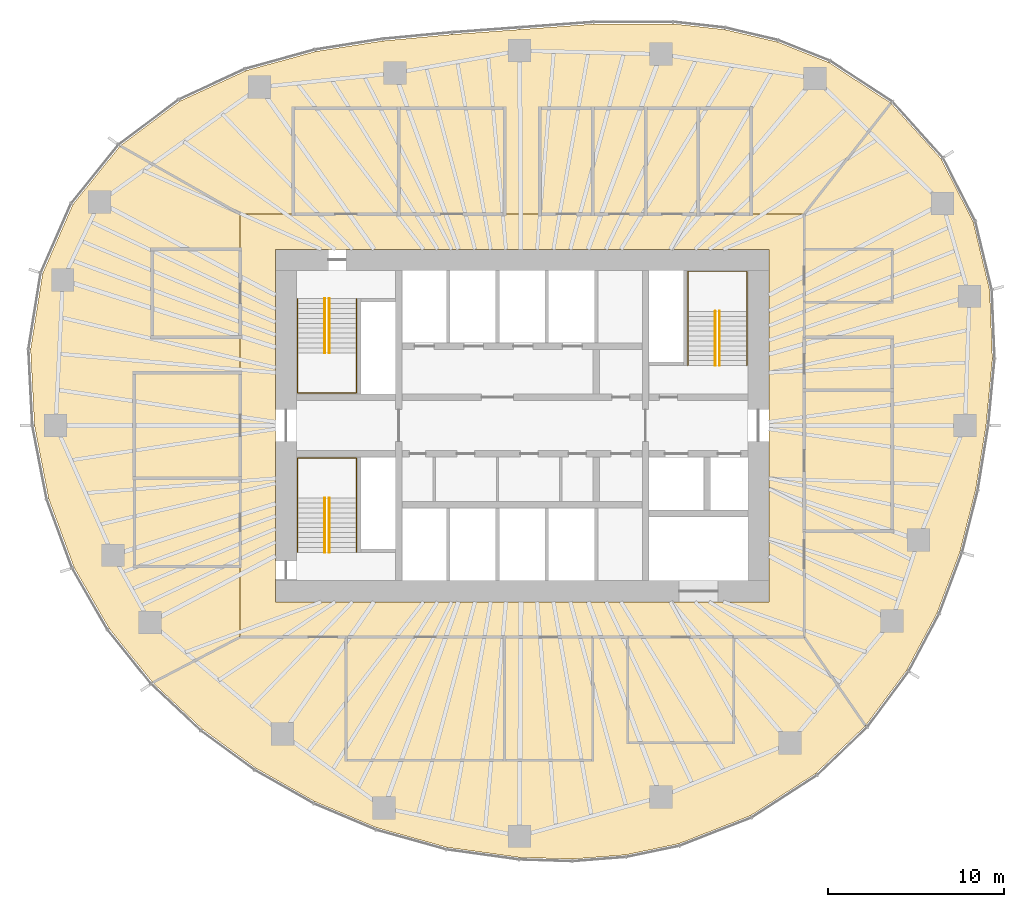
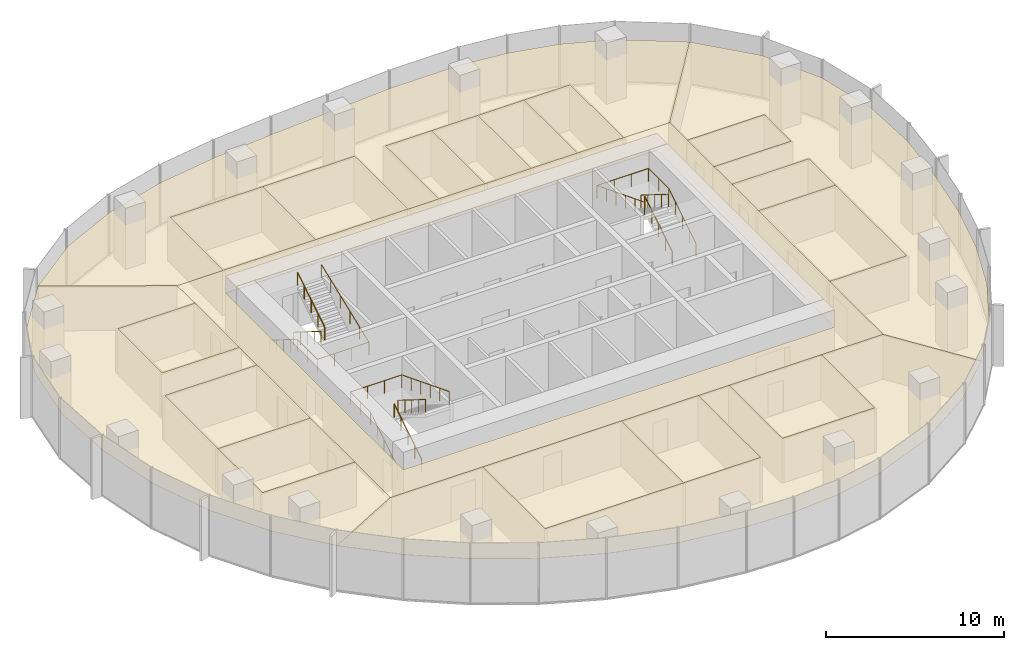
# One storey, part 11 of 11: 20 coverings, 9 railings.
"""IFC4 building model written with IfcOpenShell, lengths in metres."""

import ifcopenshell
import ifcopenshell.guid

model = None  # the IFC model being written
_history = None  # IfcOwnerHistory: only IFC2X3 demands one
_inside = {}  # id of a spatial element -> (the spatial element, [elements in it])
_under = {}  # id of a project, library or spatial element -> (it, [spatial elements below it])
_declared = {}  # id of a project -> (the project, [libraries it declares])
_typed = {}  # id of a type object -> (the type object, [elements of that type])
_made_of = {}  # id of a material, layer set ... -> (it, [elements and type objects made of it])


def new_model(schema):
    """Start an empty IFC model of exactly this schema.

    Asked for "IFC4X3", IfcOpenShell would pick the latest addendum, in which some entities
    have other attributes; the version numbers below select the first issue.
    IFC2X3 requires an IfcOwnerHistory on every rooted entity: one is made here for all.
    """
    global model, _history
    if schema == "IFC4X3":
        model = ifcopenshell.file(schema_version=(4, 3, 0, 0))
    else:
        model = ifcopenshell.file(schema=schema)
    _inside.clear()
    _under.clear()
    _declared.clear()
    _typed.clear()
    _made_of.clear()
    _history = None
    if model.schema == "IFC2X3":
        org = make("IfcOrganization", Name="unknown")
        user = make(
            "IfcPersonAndOrganization",
            ThePerson=make("IfcPerson", FamilyName="unknown"),
            TheOrganization=org,
        )
        app = make(
            "IfcApplication",
            ApplicationDeveloper=org,
            Version="unknown",
            ApplicationFullName="unknown",
            ApplicationIdentifier="unknown",
        )
        _history = make(
            "IfcOwnerHistory",
            OwningUser=user,
            OwningApplication=app,
            ChangeAction="ADDED",
            CreationDate=0,
        )
    return model


def make(cls, **values):
    """One entity of the class cls with the attributes given. An attribute that is None is left unset."""
    return model.create_entity(
        cls, **{name: value for name, value in values.items() if value is not None}
    )


def rooted(cls, **values):
    """An entity with a GlobalId (a new one), such as an element, a storey or a relation."""
    return make(cls, GlobalId=ifcopenshell.guid.new(), OwnerHistory=_history, **values)


def si_unit(unit_type, name, prefix=None):
    """IfcSIUnit, for example si_unit("LENGTHUNIT", "METRE", prefix="MILLI")."""
    return make("IfcSIUnit", UnitType=unit_type, Prefix=prefix, Name=name)


def assignment(units):
    """IfcUnitAssignment: the units of a project."""
    return None if units is None else make("IfcUnitAssignment", Units=units)


def point(xyz):
    """IfcCartesianPoint."""
    return None if xyz is None else make("IfcCartesianPoint", Coordinates=xyz)


def direction(xyz):
    """IfcDirection."""
    return None if xyz is None else make("IfcDirection", DirectionRatios=xyz)


def frame(location, z_axis=None, x_axis=None):
    """IfcAxis2Placement3D, a coordinate frame: its origin and axes. An axis left out is left unset."""
    return make(
        "IfcAxis2Placement3D",
        Location=point(location),
        Axis=direction(z_axis),
        RefDirection=direction(x_axis),
    )


def frame_2d(location, x_axis=None):
    """IfcAxis2Placement2D, a coordinate frame in the plane: its origin and x axis."""
    return make(
        "IfcAxis2Placement2D", Location=point(location), RefDirection=direction(x_axis)
    )


def origin():
    """The frame at (0, 0, 0) with its axes left unset."""
    return frame((0.0, 0.0, 0.0))


def origin_2d():
    """The frame at (0, 0) in the plane with its x axis left unset."""
    return frame_2d((0.0, 0.0))


def place(relative_to, where):
    """IfcLocalPlacement: puts the frame where relative to a parent placement (None: the world)."""
    return make(
        "IfcLocalPlacement", PlacementRelTo=relative_to, RelativePlacement=where
    )


def context(
    kind, dimensions, precision=None, world=None, true_north=None, identifier=None
):
    """IfcGeometricRepresentationContext, for example the 3D "Model" context."""
    return make(
        "IfcGeometricRepresentationContext",
        ContextIdentifier=identifier,
        ContextType=kind,
        CoordinateSpaceDimension=dimensions,
        Precision=precision,
        WorldCoordinateSystem=world,
        TrueNorth=true_north,
    )


def subcontext(parent, identifier, kind, view, scale=None):
    """IfcGeometricRepresentationSubContext, for example "Body" below "Model"."""
    return make(
        "IfcGeometricRepresentationSubContext",
        ContextIdentifier=identifier,
        ContextType=kind,
        ParentContext=parent,
        TargetScale=scale,
        TargetView=view,
    )


def project(units=None, contexts=None):
    """IfcProject with its units and contexts."""
    return rooted(
        "IfcProject",
        Name="project",
        RepresentationContexts=contexts,
        UnitsInContext=assignment(units),
    )


def spatial(cls, under=None, at=None, **own):
    """A site, building, storey or space (cls), placed at a placement, below another one or the project."""
    s = rooted(cls, ObjectPlacement=at, **own)
    if under is not None:
        _under.setdefault(under.id(), (under, []))[1].append(s)
    return s


def polyline(points):
    """IfcPolyline through the points."""
    return make("IfcPolyline", Points=[point(p) for p in points])


def profile(cls, at=None, kind="AREA", **sizes):
    """A parametric profile (cls). Its sizes go by their IFC names, for example OverallWidth=200.0."""
    return make(cls, ProfileType=kind, Position=at, **sizes)


def circle(**sizes):
    """IfcCircleProfileDef."""
    return profile("IfcCircleProfileDef", **sizes)


def outline(outer, holes=None, kind="AREA"):
    """IfcArbitraryClosedProfileDef: a profile drawn as a closed curve; with holes, ...WithVoids."""
    if holes is None:
        return make("IfcArbitraryClosedProfileDef", ProfileType=kind, OuterCurve=outer)
    return make(
        "IfcArbitraryProfileDefWithVoids",
        ProfileType=kind,
        OuterCurve=outer,
        InnerCurves=holes,
    )


def extrude(swept, where, along, depth):
    """IfcExtrudedAreaSolid: the profile swept, set in the frame where, extruded along a direction by depth."""
    return make(
        "IfcExtrudedAreaSolid",
        SweptArea=swept,
        Position=where,
        ExtrudedDirection=direction(along),
        Depth=depth,
    )


def shape(context_of_items, identifier, shape_type, items):
    """IfcShapeRepresentation: the items that make up one representation, for example the "Body"."""
    return make(
        "IfcShapeRepresentation",
        ContextOfItems=context_of_items,
        RepresentationIdentifier=identifier,
        RepresentationType=shape_type,
        Items=items,
    )


def material(Name=None, Category=None):
    """IfcMaterial."""
    return make("IfcMaterial", Name=Name, Category=Category)


def layer(
    of_material, thickness, ventilated=None, Name=None, Category=None, Priority=None
):
    """IfcMaterialLayer: one layer of a wall or slab, of a material (None: an air gap)."""
    return make(
        "IfcMaterialLayer",
        Material=of_material,
        LayerThickness=thickness,
        IsVentilated=ventilated,
        Name=Name,
        Category=Category,
        Priority=Priority,
    )


def layer_set(layers, Name=None):
    """IfcMaterialLayerSet."""
    return make("IfcMaterialLayerSet", MaterialLayers=layers, LayerSetName=Name)


def made_of(thing, what):
    """Note that an element or type object is made of a material, layer set ...; save() writes the relation."""
    if what is not None:
        _made_of.setdefault(what.id(), (what, []))[1].append(thing)
    return thing


def type_object(cls, material=None, **own):
    """A type object (cls), such as IfcWallType, which elements share."""
    return made_of(rooted(cls, **own), material)


def element(
    cls,
    number,
    at=None,
    inside=None,
    cuts=None,
    type_object=None,
    material=None,
    context=None,
    identifier="Body",
    shape_type=None,
    held_by="IfcProductDefinitionShape",
    body=None,
    shapes=None,
    **own,
):
    """One element of the class cls, such as IfcWall. Its Tag is "e" and its number.

    at: its placement. inside: the storey or other place that contains it. cuts: it is an
    opening in that element (IfcRelVoidsElement). A single representation is given by context,
    identifier, shape_type and body (its items); several are given by shapes. held_by: the class
    of the entity that holds the representations. save() writes the other relations.
    """
    e = rooted(cls, Tag="e%d" % number, ObjectPlacement=at, **own)
    if body is not None:
        shapes = [shape(context, identifier, shape_type, body)]
    if shapes is not None:
        e.Representation = make(held_by, Representations=shapes)
    if inside is not None:
        _inside.setdefault(inside.id(), (inside, []))[1].append(e)
    if cuts is not None:
        rooted(
            "IfcRelVoidsElement", RelatingBuildingElement=cuts, RelatedOpeningElement=e
        )
    if type_object is not None:
        _typed.setdefault(type_object.id(), (type_object, []))[1].append(e)
    return made_of(e, material)


def aggregate(whole, parts):
    """IfcRelAggregates: a whole, such as a stair, and the parts it consists of."""
    return rooted("IfcRelAggregates", RelatingObject=whole, RelatedObjects=parts)


def save(model, path):
    """Write the relations noted so far, then the file.

    IfcRelAggregates (storeys below a building ...), IfcRelContainedInSpatialStructure (elements
    in a storey), IfcRelDefinesByType, IfcRelAssociatesMaterial and IfcRelDeclares: one each for
    every whole, place, type object, material and project.
    """
    for whole, parts in _under.values():
        aggregate(whole, parts)
    for where, things in _inside.values():
        rooted(
            "IfcRelContainedInSpatialStructure",
            RelatedElements=things,
            RelatingStructure=where,
        )
    for kind, things in _typed.values():
        rooted("IfcRelDefinesByType", RelatedObjects=things, RelatingType=kind)
    for what, things in _made_of.values():
        rooted("IfcRelAssociatesMaterial", RelatedObjects=things, RelatingMaterial=what)
    for by, libraries in _declared.values():
        rooted("IfcRelDeclares", RelatingContext=by, RelatedDefinitions=libraries)
    model.write(path)


model = new_model("IFC4")

# Units and contexts
model_context = context("Model", 3, precision=1e-05, world=origin(), true_north=direction((0.0, 1.0)))
body_context = subcontext(model_context, "Body", "Model", "MODEL_VIEW")
ifc_project = project(units=[si_unit("LENGTHUNIT", "METRE"), si_unit("AREAUNIT", "SQUARE_METRE"), si_unit("VOLUMEUNIT", "CUBIC_METRE"), si_unit("PLANEANGLEUNIT", "RADIAN"), si_unit("MASSUNIT", "GRAM", prefix="KILO")], contexts=[model_context])

# Site, building, storey
site_placement = place(None, origin())
site = spatial("IfcSite", under=ifc_project, at=site_placement, CompositionType="ELEMENT")
building_placement = place(site_placement, origin())
building = spatial("IfcBuilding", under=site, at=building_placement, Name="Ghaith Harvest Tower", CompositionType="ELEMENT")
storey_placement = place(building_placement, frame((0.0, 0.0, 211.60009765625)))
storey = spatial("IfcBuildingStorey", under=building, at=storey_placement, Name="L46", CompositionType="ELEMENT", Elevation=211.60009765625)

# Coverings
ifc_material_1 = material(Name="Mineral fibre ceiling tile", Category="gypsum")
ifc_layer = layer(ifc_material_1, 0.02001953125)
ifc_layer_set = layer_set([ifc_layer], Name="CEILING C1")
covering_type = type_object("IfcCoveringType", Name="CEILING C1", PredefinedType="CEILING", material=ifc_layer_set)
covering_1_placement = place(storey_placement, frame((0.0, 0.0, 3.0)))
element("IfcCovering", 1, at=covering_1_placement, inside=storey, type_object=covering_type, Name="Ceiling L46-01", PredefinedType="CEILING", context=body_context, shape_type="SweptSolid", body=[
    extrude(outline(polyline([(-13.0, 12.0), (-7.0, 12.0), (-7.0, 18.0), (-13.0, 18.0), (-13.0, 12.0)])), origin(), (0.0, 0.0, 1.0), 0.02001953125),
])
covering_2_placement = place(storey_placement, frame((0.0, 0.0, 3.0)))
element("IfcCovering", 2, at=covering_2_placement, inside=storey, type_object=covering_type, Name="Ceiling L46-02", PredefinedType="CEILING", context=body_context, shape_type="SweptSolid", body=[
    extrude(outline(polyline([(-7.0, 12.0), (-1.0, 12.0), (-1.0, 18.0), (-7.0, 18.0), (-7.0, 12.0)])), origin(), (0.0, 0.0, 1.0), 0.02001953125),
])
covering_3_placement = place(storey_placement, frame((0.0, 0.0, 3.0)))
element("IfcCovering", 3, at=covering_3_placement, inside=storey, type_object=covering_type, Name="Ceiling L46-03", PredefinedType="CEILING", context=body_context, shape_type="SweptSolid", body=[
    extrude(outline(polyline([(1.0, 12.0), (4.0, 12.0), (4.0, 18.0), (1.0, 18.0), (1.0, 12.0)])), origin(), (0.0, 0.0, 1.0), 0.02001953125),
])
covering_4_placement = place(storey_placement, frame((0.0, 0.0, 3.0)))
element("IfcCovering", 4, at=covering_4_placement, inside=storey, type_object=covering_type, Name="Ceiling L46-04", PredefinedType="CEILING", context=body_context, shape_type="SweptSolid", body=[
    extrude(outline(polyline([(4.0, 12.0), (7.0, 12.0), (7.0, 18.0), (4.0, 18.0), (4.0, 12.0)])), origin(), (0.0, 0.0, 1.0), 0.02001953125),
])
covering_5_placement = place(storey_placement, frame((0.0, 0.0, 3.0)))
element("IfcCovering", 5, at=covering_5_placement, inside=storey, type_object=covering_type, Name="Ceiling L46-05", PredefinedType="CEILING", context=body_context, shape_type="SweptSolid", body=[
    extrude(outline(polyline([(7.0, 12.0), (10.0, 12.0), (10.0, 18.0), (7.0, 18.0), (7.0, 12.0)])), origin(), (0.0, 0.0, 1.0), 0.02001953125),
])
covering_6_placement = place(storey_placement, frame((0.0, 0.0, 3.0)))
element("IfcCovering", 6, at=covering_6_placement, inside=storey, type_object=covering_type, Name="Ceiling L46-06", PredefinedType="CEILING", context=body_context, shape_type="SweptSolid", body=[
    extrude(outline(polyline([(10.0, 12.0), (13.0, 12.0), (13.0, 18.0), (10.0, 18.0), (10.0, 12.0)])), origin(), (0.0, 0.0, 1.0), 0.02001953125),
])
covering_7_placement = place(storey_placement, frame((0.0, 0.0, 3.0)))
element("IfcCovering", 7, at=covering_7_placement, inside=storey, type_object=covering_type, Name="Ceiling L46-07", PredefinedType="CEILING", context=body_context, shape_type="SweptSolid", body=[
    extrude(outline(polyline([(-10.0, -19.0), (-1.0, -19.0), (-1.0, -12.0), (-10.0, -12.0), (-10.0, -19.0)])), origin(), (0.0, 0.0, 1.0), 0.02001953125),
])
covering_8_placement = place(storey_placement, frame((0.0, 0.0, 3.0)))
element("IfcCovering", 8, at=covering_8_placement, inside=storey, type_object=covering_type, Name="Ceiling L46-08", PredefinedType="CEILING", context=body_context, shape_type="SweptSolid", body=[
    extrude(outline(polyline([(-1.0, -19.0), (4.0, -19.0), (4.0, -12.0), (-1.0, -12.0), (-1.0, -19.0)])), origin(), (0.0, 0.0, 1.0), 0.02001953125),
])
covering_9_placement = place(storey_placement, frame((0.0, 0.0, 3.0)))
element("IfcCovering", 9, at=covering_9_placement, inside=storey, type_object=covering_type, Name="Ceiling L46-09", PredefinedType="CEILING", context=body_context, shape_type="SweptSolid", body=[
    extrude(outline(polyline([(6.0, -18.0), (12.0, -18.0), (12.0, -12.0), (6.0, -12.0), (6.0, -18.0)])), origin(), (0.0, 0.0, 1.0), 0.02001953125),
])
covering_10_placement = place(storey_placement, frame((0.0, 0.0, 3.0)))
element("IfcCovering", 10, at=covering_10_placement, inside=storey, type_object=covering_type, Name="Ceiling L46-10", PredefinedType="CEILING", context=body_context, shape_type="SweptSolid", body=[
    extrude(outline(polyline([(16.0, -6.0), (21.0, -6.0), (21.0, 2.0), (16.0, 2.0), (16.0, -6.0)])), origin(), (0.0, 0.0, 1.0), 0.02001953125),
])
covering_11_placement = place(storey_placement, frame((0.0, 0.0, 3.0)))
element("IfcCovering", 11, at=covering_11_placement, inside=storey, type_object=covering_type, Name="Ceiling L46-11", PredefinedType="CEILING", context=body_context, shape_type="SweptSolid", body=[
    extrude(outline(polyline([(16.0, 2.0), (21.0, 2.0), (21.0, 5.0), (16.0, 5.0), (16.0, 2.0)])), origin(), (0.0, 0.0, 1.0), 0.02001953125),
])
covering_12_placement = place(storey_placement, frame((0.0, 0.0, 3.0)))
element("IfcCovering", 12, at=covering_12_placement, inside=storey, type_object=covering_type, Name="Ceiling L46-12", PredefinedType="CEILING", context=body_context, shape_type="SweptSolid", body=[
    extrude(outline(polyline([(-22.0, -8.0), (-16.0, -8.0), (-16.0, -3.0), (-22.0, -3.0), (-22.0, -8.0)])), origin(), (0.0, 0.0, 1.0), 0.02001953125),
])
covering_13_placement = place(storey_placement, frame((0.0, 0.0, 3.0)))
element("IfcCovering", 13, at=covering_13_placement, inside=storey, type_object=covering_type, Name="Ceiling L46-13", PredefinedType="CEILING", context=body_context, shape_type="SweptSolid", body=[
    extrude(outline(polyline([(-22.0, -3.0), (-16.0, -3.0), (-16.0, 3.0), (-22.0, 3.0), (-22.0, -3.0)])), origin(), (0.0, 0.0, 1.0), 0.02001953125),
])
covering_14_placement = place(storey_placement, frame((0.0, 0.0, 3.0)))
element("IfcCovering", 14, at=covering_14_placement, inside=storey, type_object=covering_type, Name="Ceiling L46-14", PredefinedType="CEILING", context=body_context, shape_type="SweptSolid", body=[
    extrude(outline(polyline([(16.0, 7.0), (21.0, 7.0), (21.0, 10.0), (16.0, 10.0), (16.0, 7.0)])), origin(), (0.0, 0.0, 1.0), 0.02001953125),
])
covering_15_placement = place(storey_placement, frame((0.0, 0.0, 3.0)))
element("IfcCovering", 15, at=covering_15_placement, inside=storey, type_object=covering_type, Name="Ceiling L46-15", PredefinedType="CEILING", context=body_context, shape_type="SweptSolid", body=[
    extrude(outline(polyline([(-21.0, 5.0), (-16.0, 5.0), (-16.0, 10.0), (-21.0, 10.0), (-21.0, 5.0)])), origin(), (0.0, 0.0, 1.0), 0.02001953125),
])
covering_16_placement = place(storey_placement, frame((0.0, 0.0, 3.0)))
element("IfcCovering", 16, at=covering_16_placement, inside=storey, type_object=covering_type, Name="Ceiling L46-C1", PredefinedType="CEILING", context=body_context, shape_type="SweptSolid", body=[
    extrude(outline(polyline([(-16.0, 12.0), (16.0, 12.0), (16.0, -12.0), (-16.0, -12.0), (-16.0, 12.0)]), holes=[polyline([(14.0, -10.0), (14.0, 10.0), (-14.0, 10.0), (-14.0, -10.0), (14.0, -10.0)])]), origin(), (0.0, 0.0, 1.0), 0.02001953125),
])
covering_17_placement = place(storey_placement, frame((0.0, 0.0, 3.0)))
element("IfcCovering", 17, at=covering_17_placement, inside=storey, type_object=covering_type, Name="Ceiling L46-N1", PredefinedType="CEILING", context=body_context, shape_type="SweptSolid", body=[
    extrude(outline(polyline([(-19.408203125, 18.41650390625), (-15.6474609375, 20.147705078125), (-11.694580078125, 21.2314453125), (-7.8837890625, 21.827880859375), (-3.963134765625, 22.192138671875), (-0.15380859375, 22.470458984375), (4.03857421875, 22.78125), (8.522216796875, 22.796875), (11.47265625, 22.47265625), (14.460693359375, 21.771484375), (17.382080078125, 20.612548828125), (20.923095703125, 18.295166015625), (16.0, 12.0), (13.0, 12.0), (13.0, 18.0), (1.0, 18.0), (1.0, 12.0), (-1.0, 12.0), (-1.0, 18.0), (-13.0, 18.0), (-13.0, 12.0), (-16.0, 12.0), (-22.809814453125, 15.87109375), (-19.408203125, 18.41650390625)])), origin(), (0.0, 0.0, 1.0), 0.02001953125),
])
covering_18_placement = place(storey_placement, frame((0.0, 0.0, 3.0)))
element("IfcCovering", 18, at=covering_18_placement, inside=storey, type_object=covering_type, Name="Ceiling L46-E1", PredefinedType="CEILING", context=body_context, shape_type="SweptSolid", body=[
    extrude(outline(polyline([(23.77294921875, 15.12939453125), (25.597900390625, 11.55615234375), (26.531005859375, 7.668212890625), (26.685791015625, 3.779052734375), (26.324951171875, 0.0), (25.734375, -3.644287109375), (24.840576171875, -7.179443359375), (23.548828125, -10.631103515625), (21.821533203125, -13.887451171875), (19.48388671875, -17.036865234375), (16.0, -12.0), (16.0, -6.0), (21.0, -6.0), (21.0, 5.0), (16.0, 5.0), (16.0, 7.0), (21.0, 7.0), (21.0, 10.0), (16.0, 10.0), (16.0, 12.0), (20.923095703125, 18.295166015625), (23.77294921875, 15.12939453125)])), origin(), (0.0, 0.0, 1.0), 0.02001953125),
])
covering_19_placement = place(storey_placement, frame((0.0, 0.0, 3.0)))
element("IfcCovering", 19, at=covering_19_placement, inside=storey, type_object=covering_type, Name="Ceiling L46-S1", PredefinedType="CEILING", context=body_context, shape_type="SweptSolid", body=[
    extrude(outline(polyline([(16.651611328125, -19.746337890625), (12.949462890625, -22.1435546875), (8.8740234375, -23.73779296875), (5.865234375, -24.3662109375), (2.833984375, -24.602294921875), (-0.167724609375, -24.505126953125), (-4.27490234375, -23.9375), (-8.2451171875, -22.82861328125), (-11.75732421875, -21.345703125), (-15.10400390625, -19.447998046875), (-18.15087890625, -17.223388671875), (-20.963134765625, -14.586181640625), (-16.0, -12.0), (-10.0, -12.0), (-10.0, -19.0), (4.0, -19.0), (4.0, -12.0), (6.0, -12.0), (6.0, -18.0), (12.0, -18.0), (12.0, -12.0), (16.0, -12.0), (19.48388671875, -17.036865234375), (16.651611328125, -19.746337890625)])), origin(), (0.0, 0.0, 1.0), 0.02001953125),
])
covering_20_placement = place(storey_placement, frame((0.0, 0.0, 3.0)))
element("IfcCovering", 20, at=covering_20_placement, inside=storey, type_object=covering_type, Name="Ceiling L46-W1", PredefinedType="CEILING", context=body_context, shape_type="SweptSolid", body=[
    extrude(outline(polyline([(-23.425537109375, -11.530517578125), (-25.424072265625, -8.057373046875), (-26.86669921875, -4.155517578125), (-27.675048828125, 0.0), (-27.897216796875, 4.314697265625), (-27.211181640625, 8.623779296875), (-25.491943359375, 12.547607421875), (-22.809814453125, 15.87109375), (-16.0, 12.0), (-16.0, 10.0), (-21.0, 10.0), (-21.0, 5.0), (-16.0, 5.0), (-16.0, 3.0), (-22.0, 3.0), (-22.0, -8.0), (-16.0, -8.0), (-16.0, -12.0), (-20.963134765625, -14.586181640625), (-23.425537109375, -11.530517578125)])), origin(), (0.0, 0.0, 1.0), 0.02001953125),
])

# Railings
ifc_material_2 = material(Name="Steel, black powder-coated", Category="steel")
railing_type = type_object("IfcRailingType", Name="HANDRAIL HR1", PredefinedType="HANDRAIL", material=ifc_material_2)
railing_1_placement = place(storey_placement, frame((-11.199951171875, 7.199951171875, 0.1748046875)))
element("IfcRailing", 21, at=railing_1_placement, inside=storey, type_object=railing_type, Name="Handrail HR1 stair ST1 L46 flight 1 inner", PredefinedType="HANDRAIL", context=body_context, shape_type="SweptSolid", body=[
    extrude(circle(Radius=0.02392578125, at=origin_2d()), frame((0.0, 0.0, 0.8759765625), z_axis=(0.0, -0.847979421464, 0.530029150871), x_axis=(1.0, 0.0, 0.0)), (0.0, 0.0, 1.0), 3.632080078125),
    extrude(circle(Radius=0.02099609375, at=origin_2d()), origin(), (0.0, 0.0, 1.0), 0.851806640625),
    extrude(circle(Radius=0.02099609375, at=origin_2d()), frame((0.0, -0.77001953125, 0.481201171875)), (0.0, 0.0, 1.0), 0.851806640625),
    extrude(circle(Radius=0.02099609375, at=origin_2d()), frame((0.0, -1.5400390625, 0.96240234375)), (0.0, 0.0, 1.0), 0.851806640625),
    extrude(circle(Radius=0.02099609375, at=origin_2d()), frame((0.0, -2.309814453125, 1.44384765625)), (0.0, 0.0, 1.0), 0.851806640625),
    extrude(circle(Radius=0.02099609375, at=origin_2d()), frame((0.0, -3.079833984375, 1.925048828125)), (0.0, 0.0, 1.0), 0.851806640625),
])
railing_2_placement = place(storey_placement, frame((-10.949951171875, 4.1201171875, 2.27490234375)))
element("IfcRailing", 22, at=railing_2_placement, inside=storey, type_object=railing_type, Name="Handrail HR1 stair ST1 L46 flight 2 inner", PredefinedType="HANDRAIL", context=body_context, shape_type="SweptSolid", body=[
    extrude(circle(Radius=0.02392578125, at=origin_2d()), frame((0.0, 0.0, 0.8759765625), z_axis=(0.0, 0.847979421464, 0.530029150871), x_axis=(-1.0, 0.0, 0.0)), (0.0, 0.0, 1.0), 3.632080078125),
    extrude(circle(Radius=0.02099609375, at=origin_2d()), origin(), (0.0, 0.0, 1.0), 0.851806640625),
    extrude(circle(Radius=0.02099609375, at=origin_2d()), frame((0.0, 0.77001953125, 0.481201171875)), (0.0, 0.0, 1.0), 0.851806640625),
    extrude(circle(Radius=0.02099609375, at=origin_2d()), frame((0.0, 1.5400390625, 0.96240234375)), (0.0, 0.0, 1.0), 0.851806640625),
    extrude(circle(Radius=0.02099609375, at=origin_2d()), frame((0.0, 2.309814453125, 1.44384765625)), (0.0, 0.0, 1.0), 0.851806640625),
    extrude(circle(Radius=0.02099609375, at=origin_2d()), frame((0.0, 3.079833984375, 1.925048828125)), (0.0, 0.0, 1.0), 0.851806640625),
])
railing_3_placement = place(storey_placement, frame((-12.75, 7.199951171875, 0.1748046875)))
element("IfcRailing", 23, at=railing_3_placement, inside=storey, type_object=railing_type, Name="Handrail HR1 stair ST1 L46 wall side", PredefinedType="HANDRAIL", context=body_context, shape_type="SweptSolid", body=[
    extrude(circle(Radius=0.02392578125, at=origin_2d()), frame((0.0, 0.0, 0.8759765625), z_axis=(0.0, -0.847979421464, 0.530029150871), x_axis=(1.0, 0.0, 0.0)), (0.0, 0.0, 1.0), 3.632080078125),
    extrude(circle(Radius=0.02392578125, at=origin_2d()), frame((0.0, -3.079833984375, 2.80078125), z_axis=(0.0, -1.0, 0.0), x_axis=(1.0, 0.0, 0.0)), (0.0, 0.0, 1.0), 2.27001953125),
    extrude(circle(Radius=0.02392578125, at=origin_2d()), frame((0.0, -5.349853515625, 2.80078125), z_axis=(1.0, 0.0, 0.0), x_axis=(0.0, 1.0, 0.0)), (0.0, 0.0, 1.0), 3.35009765625),
    extrude(circle(Radius=0.02392578125, at=origin_2d()), frame((3.35009765625, -5.349853515625, 2.80078125), z_axis=(0.0, 0.930848013298, 0.36540659017), x_axis=(-1.0, 0.0, 0.0)), (0.0, 0.0, 1.0), 5.747314453125),
    extrude(circle(Radius=0.02099609375, at=origin_2d()), origin(), (0.0, 0.0, 1.0), 0.851806640625),
    extrude(circle(Radius=0.02099609375, at=origin_2d()), frame((0.0, -0.77001953125, 0.481201171875)), (0.0, 0.0, 1.0), 0.851806640625),
    extrude(circle(Radius=0.02099609375, at=origin_2d()), frame((0.0, -1.5400390625, 0.96240234375)), (0.0, 0.0, 1.0), 0.851806640625),
    extrude(circle(Radius=0.02099609375, at=origin_2d()), frame((0.0, -2.309814453125, 1.44384765625)), (0.0, 0.0, 1.0), 0.851806640625),
    extrude(circle(Radius=0.02099609375, at=origin_2d()), frame((0.0, -3.079833984375, 1.925048828125)), (0.0, 0.0, 1.0), 0.851806640625),
    extrude(circle(Radius=0.02099609375, at=origin_2d()), frame((0.0, -4.21484375, 1.925048828125)), (0.0, 0.0, 1.0), 0.851806640625),
    extrude(circle(Radius=0.02099609375, at=origin_2d()), frame((0.0, -5.349853515625, 1.925048828125)), (0.0, 0.0, 1.0), 0.851806640625),
    extrude(circle(Radius=0.02099609375, at=origin_2d()), frame((1.11669921875, -5.349853515625, 1.925048828125)), (0.0, 0.0, 1.0), 0.851806640625),
    extrude(circle(Radius=0.02099609375, at=origin_2d()), frame((2.2333984375, -5.349853515625, 1.925048828125)), (0.0, 0.0, 1.0), 0.851806640625),
    extrude(circle(Radius=0.02099609375, at=origin_2d()), frame((3.35009765625, -5.349853515625, 1.925048828125)), (0.0, 0.0, 1.0), 0.851806640625),
    extrude(circle(Radius=0.02099609375, at=origin_2d()), frame((3.35009765625, -4.27978515625, 2.344970703125)), (0.0, 0.0, 1.0), 0.851806640625),
    extrude(circle(Radius=0.02099609375, at=origin_2d()), frame((3.35009765625, -3.2099609375, 2.76513671875)), (0.0, 0.0, 1.0), 0.851806640625),
    extrude(circle(Radius=0.02099609375, at=origin_2d()), frame((3.35009765625, -2.139892578125, 3.18505859375)), (0.0, 0.0, 1.0), 0.851806640625),
    extrude(circle(Radius=0.02099609375, at=origin_2d()), frame((3.35009765625, -1.070068359375, 3.605224609375)), (0.0, 0.0, 1.0), 0.851806640625),
    extrude(circle(Radius=0.02099609375, at=origin_2d()), frame((3.35009765625, 0.0, 4.025146484375)), (0.0, 0.0, 1.0), 0.851806640625),
])
railing_4_placement = place(storey_placement, frame((-11.199951171875, -7.199951171875, 0.1748046875)))
element("IfcRailing", 24, at=railing_4_placement, inside=storey, type_object=railing_type, Name="Handrail HR1 stair ST3 L46 flight 1 inner", PredefinedType="HANDRAIL", context=body_context, shape_type="SweptSolid", body=[
    extrude(circle(Radius=0.02392578125, at=origin_2d()), frame((0.0, 0.0, 0.8759765625), z_axis=(0.0, 0.847979421464, 0.530029150871), x_axis=(-1.0, 0.0, 0.0)), (0.0, 0.0, 1.0), 3.632080078125),
    extrude(circle(Radius=0.02099609375, at=origin_2d()), origin(), (0.0, 0.0, 1.0), 0.851806640625),
    extrude(circle(Radius=0.02099609375, at=origin_2d()), frame((0.0, 0.77001953125, 0.481201171875)), (0.0, 0.0, 1.0), 0.851806640625),
    extrude(circle(Radius=0.02099609375, at=origin_2d()), frame((0.0, 1.5400390625, 0.96240234375)), (0.0, 0.0, 1.0), 0.851806640625),
    extrude(circle(Radius=0.02099609375, at=origin_2d()), frame((0.0, 2.309814453125, 1.44384765625)), (0.0, 0.0, 1.0), 0.851806640625),
    extrude(circle(Radius=0.02099609375, at=origin_2d()), frame((0.0, 3.079833984375, 1.925048828125)), (0.0, 0.0, 1.0), 0.851806640625),
])
railing_5_placement = place(storey_placement, frame((-10.949951171875, -4.1201171875, 2.27490234375)))
element("IfcRailing", 25, at=railing_5_placement, inside=storey, type_object=railing_type, Name="Handrail HR1 stair ST3 L46 flight 2 inner", PredefinedType="HANDRAIL", context=body_context, shape_type="SweptSolid", body=[
    extrude(circle(Radius=0.02392578125, at=origin_2d()), frame((0.0, 0.0, 0.8759765625), z_axis=(0.0, -0.847979421464, 0.530029150871), x_axis=(1.0, 0.0, 0.0)), (0.0, 0.0, 1.0), 3.632080078125),
    extrude(circle(Radius=0.02099609375, at=origin_2d()), origin(), (0.0, 0.0, 1.0), 0.851806640625),
    extrude(circle(Radius=0.02099609375, at=origin_2d()), frame((0.0, -0.77001953125, 0.481201171875)), (0.0, 0.0, 1.0), 0.851806640625),
    extrude(circle(Radius=0.02099609375, at=origin_2d()), frame((0.0, -1.5400390625, 0.96240234375)), (0.0, 0.0, 1.0), 0.851806640625),
    extrude(circle(Radius=0.02099609375, at=origin_2d()), frame((0.0, -2.309814453125, 1.44384765625)), (0.0, 0.0, 1.0), 0.851806640625),
    extrude(circle(Radius=0.02099609375, at=origin_2d()), frame((0.0, -3.079833984375, 1.925048828125)), (0.0, 0.0, 1.0), 0.851806640625),
])
railing_6_placement = place(storey_placement, frame((-12.75, -7.199951171875, 0.1748046875)))
element("IfcRailing", 26, at=railing_6_placement, inside=storey, type_object=railing_type, Name="Handrail HR1 stair ST3 L46 wall side", PredefinedType="HANDRAIL", context=body_context, shape_type="SweptSolid", body=[
    extrude(circle(Radius=0.02392578125, at=origin_2d()), frame((0.0, 0.0, 0.8759765625), z_axis=(0.0, 0.847979421464, 0.530029150871), x_axis=(-1.0, 0.0, 0.0)), (0.0, 0.0, 1.0), 3.632080078125),
    extrude(circle(Radius=0.02392578125, at=origin_2d()), frame((0.0, 3.079833984375, 2.80078125), z_axis=(0.0, 1.0, 0.0), x_axis=(-1.0, 0.0, 0.0)), (0.0, 0.0, 1.0), 2.27001953125),
    extrude(circle(Radius=0.02392578125, at=origin_2d()), frame((0.0, 5.349853515625, 2.80078125), z_axis=(1.0, 0.0, 0.0), x_axis=(0.0, 1.0, 0.0)), (0.0, 0.0, 1.0), 3.35009765625),
    extrude(circle(Radius=0.02392578125, at=origin_2d()), frame((3.35009765625, 5.349853515625, 2.80078125), z_axis=(0.0, -0.930848013298, 0.36540659017), x_axis=(1.0, 0.0, 0.0)), (0.0, 0.0, 1.0), 5.747314453125),
    extrude(circle(Radius=0.02099609375, at=origin_2d()), origin(), (0.0, 0.0, 1.0), 0.851806640625),
    extrude(circle(Radius=0.02099609375, at=origin_2d()), frame((0.0, 0.77001953125, 0.481201171875)), (0.0, 0.0, 1.0), 0.851806640625),
    extrude(circle(Radius=0.02099609375, at=origin_2d()), frame((0.0, 1.5400390625, 0.96240234375)), (0.0, 0.0, 1.0), 0.851806640625),
    extrude(circle(Radius=0.02099609375, at=origin_2d()), frame((0.0, 2.309814453125, 1.44384765625)), (0.0, 0.0, 1.0), 0.851806640625),
    extrude(circle(Radius=0.02099609375, at=origin_2d()), frame((0.0, 3.079833984375, 1.925048828125)), (0.0, 0.0, 1.0), 0.851806640625),
    extrude(circle(Radius=0.02099609375, at=origin_2d()), frame((0.0, 4.21484375, 1.925048828125)), (0.0, 0.0, 1.0), 0.851806640625),
    extrude(circle(Radius=0.02099609375, at=origin_2d()), frame((0.0, 5.349853515625, 1.925048828125)), (0.0, 0.0, 1.0), 0.851806640625),
    extrude(circle(Radius=0.02099609375, at=origin_2d()), frame((1.11669921875, 5.349853515625, 1.925048828125)), (0.0, 0.0, 1.0), 0.851806640625),
    extrude(circle(Radius=0.02099609375, at=origin_2d()), frame((2.2333984375, 5.349853515625, 1.925048828125)), (0.0, 0.0, 1.0), 0.851806640625),
    extrude(circle(Radius=0.02099609375, at=origin_2d()), frame((3.35009765625, 5.349853515625, 1.925048828125)), (0.0, 0.0, 1.0), 0.851806640625),
    extrude(circle(Radius=0.02099609375, at=origin_2d()), frame((3.35009765625, 4.27978515625, 2.344970703125)), (0.0, 0.0, 1.0), 0.851806640625),
    extrude(circle(Radius=0.02099609375, at=origin_2d()), frame((3.35009765625, 3.2099609375, 2.76513671875)), (0.0, 0.0, 1.0), 0.851806640625),
    extrude(circle(Radius=0.02099609375, at=origin_2d()), frame((3.35009765625, 2.139892578125, 3.18505859375)), (0.0, 0.0, 1.0), 0.851806640625),
    extrude(circle(Radius=0.02099609375, at=origin_2d()), frame((3.35009765625, 1.070068359375, 3.605224609375)), (0.0, 0.0, 1.0), 0.851806640625),
    extrude(circle(Radius=0.02099609375, at=origin_2d()), frame((3.35009765625, 0.0, 4.025146484375)), (0.0, 0.0, 1.0), 0.851806640625),
])
railing_7_placement = place(storey_placement, frame((11.199951171875, 3.39990234375, 0.1748046875)))
element("IfcRailing", 27, at=railing_7_placement, inside=storey, type_object=railing_type, Name="Handrail HR1 stair ST2 L46 flight 1 inner", PredefinedType="HANDRAIL", context=body_context, shape_type="SweptSolid", body=[
    extrude(circle(Radius=0.02392578125, at=origin_2d()), frame((0.0, 0.0, 0.8759765625), z_axis=(0.0, 0.847998304005, 0.529998940003), x_axis=(-1.0, 0.0, 0.0)), (0.0, 0.0, 1.0), 3.632080078125),
    extrude(circle(Radius=0.02099609375, at=origin_2d()), origin(), (0.0, 0.0, 1.0), 0.851806640625),
    extrude(circle(Radius=0.02099609375, at=origin_2d()), frame((0.0, 0.77001953125, 0.481201171875)), (0.0, 0.0, 1.0), 0.851806640625),
    extrude(circle(Radius=0.02099609375, at=origin_2d()), frame((0.0, 1.5400390625, 0.96240234375)), (0.0, 0.0, 1.0), 0.851806640625),
    extrude(circle(Radius=0.02099609375, at=origin_2d()), frame((0.0, 2.31005859375, 1.44384765625)), (0.0, 0.0, 1.0), 0.851806640625),
    extrude(circle(Radius=0.02099609375, at=origin_2d()), frame((0.0, 3.080078125, 1.925048828125)), (0.0, 0.0, 1.0), 0.851806640625),
])
railing_8_placement = place(storey_placement, frame((10.949951171875, 6.47998046875, 2.27490234375)))
element("IfcRailing", 28, at=railing_8_placement, inside=storey, type_object=railing_type, Name="Handrail HR1 stair ST2 L46 flight 2 inner", PredefinedType="HANDRAIL", context=body_context, shape_type="SweptSolid", body=[
    extrude(circle(Radius=0.02392578125, at=origin_2d()), frame((0.0, 0.0, 0.8759765625), z_axis=(0.0, -0.847998304005, 0.529998940003), x_axis=(1.0, 0.0, 0.0)), (0.0, 0.0, 1.0), 3.632080078125),
    extrude(circle(Radius=0.02099609375, at=origin_2d()), origin(), (0.0, 0.0, 1.0), 0.851806640625),
    extrude(circle(Radius=0.02099609375, at=origin_2d()), frame((0.0, -0.77001953125, 0.481201171875)), (0.0, 0.0, 1.0), 0.851806640625),
    extrude(circle(Radius=0.02099609375, at=origin_2d()), frame((0.0, -1.5400390625, 0.96240234375)), (0.0, 0.0, 1.0), 0.851806640625),
    extrude(circle(Radius=0.02099609375, at=origin_2d()), frame((0.0, -2.31005859375, 1.44384765625)), (0.0, 0.0, 1.0), 0.851806640625),
    extrude(circle(Radius=0.02099609375, at=origin_2d()), frame((0.0, -3.080078125, 1.925048828125)), (0.0, 0.0, 1.0), 0.851806640625),
])
railing_9_placement = place(storey_placement, frame((12.75, 3.39990234375, 0.1748046875)))
element("IfcRailing", 29, at=railing_9_placement, inside=storey, type_object=railing_type, Name="Handrail HR1 stair ST2 L46 wall side", PredefinedType="HANDRAIL", context=body_context, shape_type="SweptSolid", body=[
    extrude(circle(Radius=0.02392578125, at=origin_2d()), frame((0.0, 0.0, 0.8759765625), z_axis=(0.0, 0.847998304005, 0.529998940003), x_axis=(-1.0, 0.0, 0.0)), (0.0, 0.0, 1.0), 3.632080078125),
    extrude(circle(Radius=0.02392578125, at=origin_2d()), frame((0.0, 3.080078125, 2.80078125), z_axis=(0.0, 1.0, 0.0), x_axis=(-1.0, 0.0, 0.0)), (0.0, 0.0, 1.0), 2.27001953125),
    extrude(circle(Radius=0.02392578125, at=origin_2d()), frame((0.0, 5.35009765625, 2.80078125), z_axis=(-1.0, 0.0, 0.0), x_axis=(0.0, -1.0, 0.0)), (0.0, 0.0, 1.0), 3.35009765625),
    extrude(circle(Radius=0.02392578125, at=origin_2d()), frame((-3.35009765625, 5.35009765625, 2.80078125), z_axis=(0.0, -0.930853684876, 0.365392141887), x_axis=(1.0, 0.0, 0.0)), (0.0, 0.0, 1.0), 5.74755859375),
    extrude(circle(Radius=0.02099609375, at=origin_2d()), origin(), (0.0, 0.0, 1.0), 0.851806640625),
    extrude(circle(Radius=0.02099609375, at=origin_2d()), frame((0.0, 0.77001953125, 0.481201171875)), (0.0, 0.0, 1.0), 0.851806640625),
    extrude(circle(Radius=0.02099609375, at=origin_2d()), frame((0.0, 1.5400390625, 0.96240234375)), (0.0, 0.0, 1.0), 0.851806640625),
    extrude(circle(Radius=0.02099609375, at=origin_2d()), frame((0.0, 2.31005859375, 1.44384765625)), (0.0, 0.0, 1.0), 0.851806640625),
    extrude(circle(Radius=0.02099609375, at=origin_2d()), frame((0.0, 3.080078125, 1.925048828125)), (0.0, 0.0, 1.0), 0.851806640625),
    extrude(circle(Radius=0.02099609375, at=origin_2d()), frame((0.0, 4.215087890625, 1.925048828125)), (0.0, 0.0, 1.0), 0.851806640625),
    extrude(circle(Radius=0.02099609375, at=origin_2d()), frame((0.0, 5.35009765625, 1.925048828125)), (0.0, 0.0, 1.0), 0.851806640625),
    extrude(circle(Radius=0.02099609375, at=origin_2d()), frame((-1.11669921875, 5.35009765625, 1.925048828125)), (0.0, 0.0, 1.0), 0.851806640625),
    extrude(circle(Radius=0.02099609375, at=origin_2d()), frame((-2.2333984375, 5.35009765625, 1.925048828125)), (0.0, 0.0, 1.0), 0.851806640625),
    extrude(circle(Radius=0.02099609375, at=origin_2d()), frame((-3.35009765625, 5.35009765625, 1.925048828125)), (0.0, 0.0, 1.0), 0.851806640625),
    extrude(circle(Radius=0.02099609375, at=origin_2d()), frame((-3.35009765625, 4.280029296875, 2.344970703125)), (0.0, 0.0, 1.0), 0.851806640625),
    extrude(circle(Radius=0.02099609375, at=origin_2d()), frame((-3.35009765625, 3.2099609375, 2.76513671875)), (0.0, 0.0, 1.0), 0.851806640625),
    extrude(circle(Radius=0.02099609375, at=origin_2d()), frame((-3.35009765625, 2.14013671875, 3.18505859375)), (0.0, 0.0, 1.0), 0.851806640625),
    extrude(circle(Radius=0.02099609375, at=origin_2d()), frame((-3.35009765625, 1.070068359375, 3.605224609375)), (0.0, 0.0, 1.0), 0.851806640625),
    extrude(circle(Radius=0.02099609375, at=origin_2d()), frame((-3.35009765625, 0.0, 4.025146484375)), (0.0, 0.0, 1.0), 0.851806640625),
])

save(model, "model.ifc")
